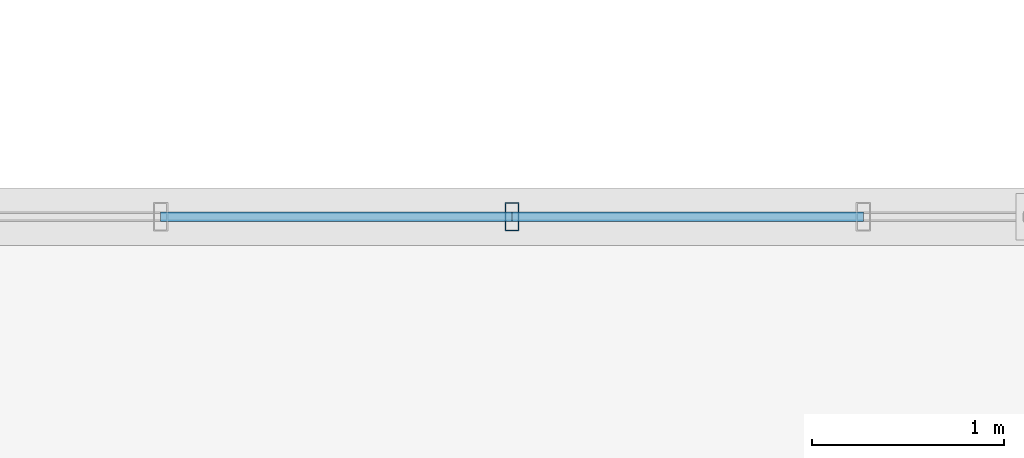
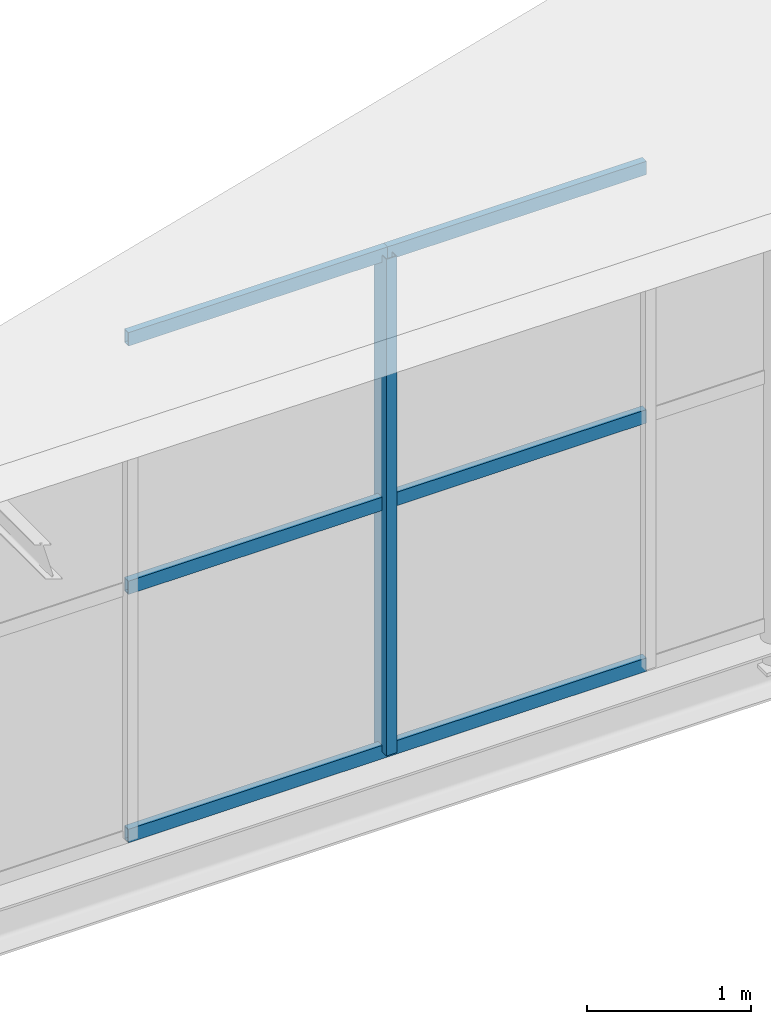
# One storey, part 31 of 49: 7 members, 1 element without a shape of its own.
"""IFC4 building model written with IfcOpenShell, lengths in metres."""

from ifc_helpers import new_model, si_unit, direction, frame, origin, origin_2d, place, context, subcontext, project, spatial, hollow_rectangle, extrude, material, material_profile, profile_set, type_object, element, aggregate, save


model = new_model("IFC4")

# Units and contexts
model_context = context("Model", 3, precision=1e-05, world=origin(), true_north=direction((0.0, 1.0)))
body_context = subcontext(model_context, "Body", "Model", "MODEL_VIEW")
ifc_project = project(units=[si_unit("LENGTHUNIT", "METRE"), si_unit("AREAUNIT", "SQUARE_METRE"), si_unit("VOLUMEUNIT", "CUBIC_METRE"), si_unit("PLANEANGLEUNIT", "RADIAN"), si_unit("MASSUNIT", "GRAM", prefix="KILO")], contexts=[model_context])

# Site, building, storey
site_placement = place(None, origin())
site = spatial("IfcSite", under=ifc_project, at=site_placement, CompositionType="ELEMENT")
building_placement = place(site_placement, origin())
building = spatial("IfcBuilding", under=site, at=building_placement, Name="Sundkrona Museum", CompositionType="ELEMENT")
storey_placement = place(building_placement, frame((0.0, 0.0, 26.0)))
storey = spatial("IfcBuildingStorey", under=building, at=storey_placement, Name="L05", CompositionType="ELEMENT", Elevation=26.0)

# Curtain wall, members
ifc_material_1 = material(Name="Unitised Aluminium-Steel and Ceramic-Clad Curtain Walling", Category="steel")
curtain_wall_type = type_object("IfcCurtainWallType", Name="CW-SW-240x13", PredefinedType="NOTDEFINED", material=ifc_material_1)
curtain_wall_placement = place(storey_placement, origin())
curtain_wall = element("IfcCurtainWall", 1, at=curtain_wall_placement, inside=storey, type_object=curtain_wall_type, Name="Atrium N Glazed Gable Tympanum 3", PredefinedType="NOTDEFINED")
ifc_material_2 = material(Name="Aluminium EN AW-6060 T66", Category="aluminium")
ifc_material_profile_1 = material_profile(ifc_material_2, hollow_rectangle(XDim=0.074951171875, YDim=0.14990234375, WallThickness=0.00634765625, at=origin_2d()), Name="RHS 150x75x6.3")
ifc_profile_set_1 = profile_set([ifc_material_profile_1], Name="Aluminium EN AW-6060 T66")
member_type_1 = type_object("IfcMemberType", Name="ML-150", PredefinedType="MULLION", material=ifc_profile_set_1)
member_1_placement = place(storey_placement, frame((97.257080078125, 40.0, -0.10009765625), z_axis=(0.0, 0.0, 1.0), x_axis=(1.0, 0.0, 0.0)))
member_1 = element("IfcMember", 2, at=member_1_placement, type_object=member_type_1, Name="CW-ATR-GBL-N3 Mullion 03", PredefinedType="MULLION", context=body_context, shape_type="SweptSolid", body=[
    extrude(hollow_rectangle(XDim=0.074951171875, YDim=0.14990234375, WallThickness=0.00634765625, at=origin_2d()), origin(), (0.0, 0.0, 1.0), 3.70703125),
])
ifc_material_profile_2 = material_profile(ifc_material_2, hollow_rectangle(XDim=0.050048828125, YDim=0.10009765625, WallThickness=0.0048828125, at=origin_2d()), Name="RHS 100x50x5.0")
ifc_profile_set_2 = profile_set([ifc_material_profile_2], Name="Aluminium EN AW-6060 T66")
member_type_2 = type_object("IfcMemberType", Name="TR-100", PredefinedType="USERDEFINED", material=ifc_profile_set_2)
member_2_placement = place(storey_placement, frame((95.4287109375, 40.0, -0.10009765625), z_axis=(1.0, 0.0, 0.0), x_axis=(0.0, 1.0, 0.0)))
member_2 = element("IfcMember", 3, at=member_2_placement, type_object=member_type_2, Name="CW-ATR-GBL-N3 Transom 04", ObjectType="TRANSOM", PredefinedType="USERDEFINED", context=body_context, shape_type="SweptSolid", body=[
    extrude(hollow_rectangle(XDim=0.050048828125, YDim=0.10009765625, WallThickness=0.0048828125, at=origin_2d()), origin(), (0.0, 0.0, 1.0), 1.828369140625),
])
member_3_placement = place(storey_placement, frame((95.4287109375, 40.0, 1.7529296875), z_axis=(1.0, 0.0, 0.0), x_axis=(0.0, 1.0, 0.0)))
member_3 = element("IfcMember", 4, at=member_3_placement, type_object=member_type_2, Name="CW-ATR-GBL-N3 Transom 05", ObjectType="TRANSOM", PredefinedType="USERDEFINED", context=body_context, shape_type="SweptSolid", body=[
    extrude(hollow_rectangle(XDim=0.050048828125, YDim=0.10009765625, WallThickness=0.0048828125, at=origin_2d()), origin(), (0.0, 0.0, 1.0), 1.828369140625),
])
member_4_placement = place(storey_placement, frame((95.4287109375, 40.0, 3.60693359375), z_axis=(1.0, 0.0, 0.0), x_axis=(0.0, 1.0, 0.0)))
member_4 = element("IfcMember", 5, at=member_4_placement, type_object=member_type_2, Name="CW-ATR-GBL-N3 Transom 06", ObjectType="TRANSOM", PredefinedType="USERDEFINED", context=body_context, shape_type="SweptSolid", body=[
    extrude(hollow_rectangle(XDim=0.050048828125, YDim=0.10009765625, WallThickness=0.0048828125, at=origin_2d()), origin(), (0.0, 0.0, 1.0), 1.828369140625),
])
member_5_placement = place(storey_placement, frame((97.257080078125, 40.0, -0.10009765625), z_axis=(1.0, 0.0, 0.0), x_axis=(0.0, 1.0, 0.0)))
member_5 = element("IfcMember", 6, at=member_5_placement, type_object=member_type_2, Name="CW-ATR-GBL-N3 Transom 07", ObjectType="TRANSOM", PredefinedType="USERDEFINED", context=body_context, shape_type="SweptSolid", body=[
    extrude(hollow_rectangle(XDim=0.050048828125, YDim=0.10009765625, WallThickness=0.0048828125, at=origin_2d()), origin(), (0.0, 0.0, 1.0), 1.82861328125),
])
member_6_placement = place(storey_placement, frame((97.257080078125, 40.0, 1.7529296875), z_axis=(1.0, 0.0, 0.0), x_axis=(0.0, 1.0, 0.0)))
member_6 = element("IfcMember", 7, at=member_6_placement, type_object=member_type_2, Name="CW-ATR-GBL-N3 Transom 08", ObjectType="TRANSOM", PredefinedType="USERDEFINED", context=body_context, shape_type="SweptSolid", body=[
    extrude(hollow_rectangle(XDim=0.050048828125, YDim=0.10009765625, WallThickness=0.0048828125, at=origin_2d()), origin(), (0.0, 0.0, 1.0), 1.82861328125),
])
member_7_placement = place(storey_placement, frame((97.257080078125, 40.0, 3.60693359375), z_axis=(1.0, 0.0, 0.0), x_axis=(0.0, 1.0, 0.0)))
member_7 = element("IfcMember", 8, at=member_7_placement, type_object=member_type_2, Name="CW-ATR-GBL-N3 Transom 09", ObjectType="TRANSOM", PredefinedType="USERDEFINED", context=body_context, shape_type="SweptSolid", body=[
    extrude(hollow_rectangle(XDim=0.050048828125, YDim=0.10009765625, WallThickness=0.0048828125, at=origin_2d()), origin(), (0.0, 0.0, 1.0), 1.82861328125),
])
aggregate(curtain_wall, [member_1, member_2, member_3, member_4, member_5, member_6, member_7])

save(model, "model.ifc")
